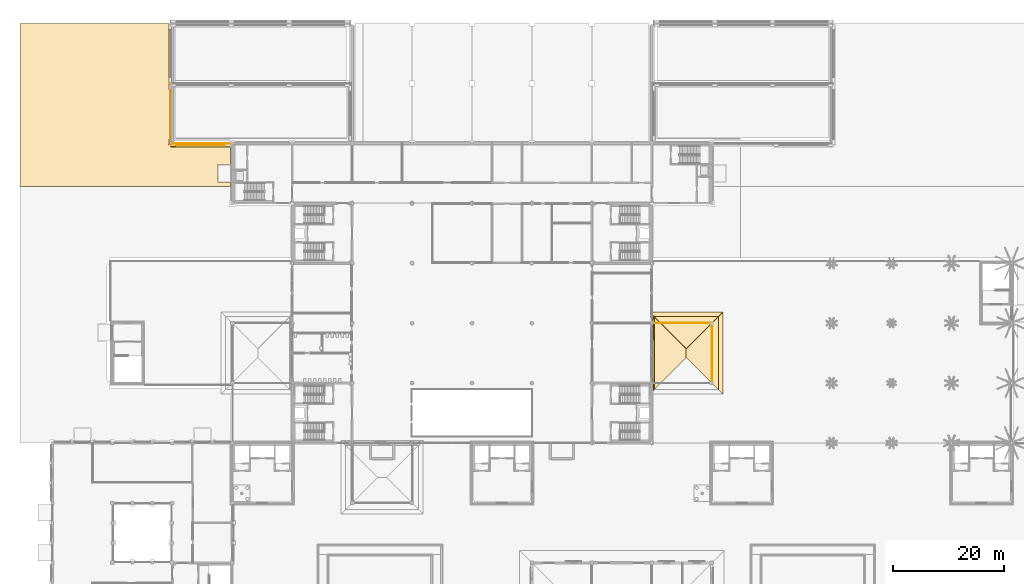
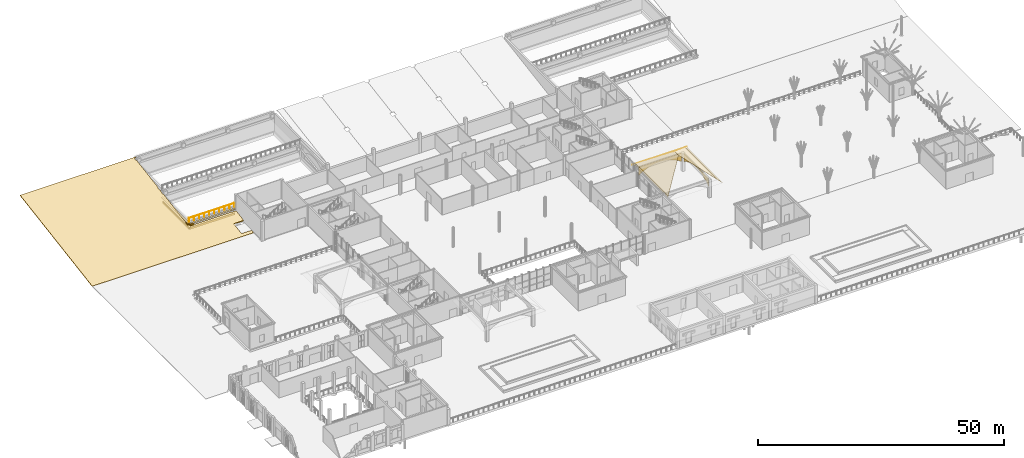
# One storey, part 83 of 91: 15 coverings, 1 railing.
"""IFC4 building model written with IfcOpenShell, lengths in metres."""

import ifcopenshell
import ifcopenshell.guid

model = None  # the IFC model being written
_history = None  # IfcOwnerHistory: only IFC2X3 demands one
_inside = {}  # id of a spatial element -> (the spatial element, [elements in it])
_under = {}  # id of a project, library or spatial element -> (it, [spatial elements below it])
_declared = {}  # id of a project -> (the project, [libraries it declares])
_typed = {}  # id of a type object -> (the type object, [elements of that type])
_made_of = {}  # id of a material, layer set ... -> (it, [elements and type objects made of it])


def new_model(schema):
    """Start an empty IFC model of exactly this schema.

    Asked for "IFC4X3", IfcOpenShell would pick the latest addendum, in which some entities
    have other attributes; the version numbers below select the first issue.
    IFC2X3 requires an IfcOwnerHistory on every rooted entity: one is made here for all.
    """
    global model, _history
    if schema == "IFC4X3":
        model = ifcopenshell.file(schema_version=(4, 3, 0, 0))
    else:
        model = ifcopenshell.file(schema=schema)
    _inside.clear()
    _under.clear()
    _declared.clear()
    _typed.clear()
    _made_of.clear()
    _history = None
    if model.schema == "IFC2X3":
        org = make("IfcOrganization", Name="unknown")
        user = make(
            "IfcPersonAndOrganization",
            ThePerson=make("IfcPerson", FamilyName="unknown"),
            TheOrganization=org,
        )
        app = make(
            "IfcApplication",
            ApplicationDeveloper=org,
            Version="unknown",
            ApplicationFullName="unknown",
            ApplicationIdentifier="unknown",
        )
        _history = make(
            "IfcOwnerHistory",
            OwningUser=user,
            OwningApplication=app,
            ChangeAction="ADDED",
            CreationDate=0,
        )
    return model


def make(cls, **values):
    """One entity of the class cls with the attributes given. An attribute that is None is left unset."""
    return model.create_entity(
        cls, **{name: value for name, value in values.items() if value is not None}
    )


def rooted(cls, **values):
    """An entity with a GlobalId (a new one), such as an element, a storey or a relation."""
    return make(cls, GlobalId=ifcopenshell.guid.new(), OwnerHistory=_history, **values)


def si_unit(unit_type, name, prefix=None):
    """IfcSIUnit, for example si_unit("LENGTHUNIT", "METRE", prefix="MILLI")."""
    return make("IfcSIUnit", UnitType=unit_type, Prefix=prefix, Name=name)


def assignment(units):
    """IfcUnitAssignment: the units of a project."""
    return None if units is None else make("IfcUnitAssignment", Units=units)


def point(xyz):
    """IfcCartesianPoint."""
    return None if xyz is None else make("IfcCartesianPoint", Coordinates=xyz)


def direction(xyz):
    """IfcDirection."""
    return None if xyz is None else make("IfcDirection", DirectionRatios=xyz)


def frame(location, z_axis=None, x_axis=None):
    """IfcAxis2Placement3D, a coordinate frame: its origin and axes. An axis left out is left unset."""
    return make(
        "IfcAxis2Placement3D",
        Location=point(location),
        Axis=direction(z_axis),
        RefDirection=direction(x_axis),
    )


def frame_2d(location, x_axis=None):
    """IfcAxis2Placement2D, a coordinate frame in the plane: its origin and x axis."""
    return make(
        "IfcAxis2Placement2D", Location=point(location), RefDirection=direction(x_axis)
    )


def origin():
    """The frame at (0, 0, 0) with its axes left unset."""
    return frame((0.0, 0.0, 0.0))


def origin_2d():
    """The frame at (0, 0) in the plane with its x axis left unset."""
    return frame_2d((0.0, 0.0))


def place(relative_to, where):
    """IfcLocalPlacement: puts the frame where relative to a parent placement (None: the world)."""
    return make(
        "IfcLocalPlacement", PlacementRelTo=relative_to, RelativePlacement=where
    )


def context(
    kind, dimensions, precision=None, world=None, true_north=None, identifier=None
):
    """IfcGeometricRepresentationContext, for example the 3D "Model" context."""
    return make(
        "IfcGeometricRepresentationContext",
        ContextIdentifier=identifier,
        ContextType=kind,
        CoordinateSpaceDimension=dimensions,
        Precision=precision,
        WorldCoordinateSystem=world,
        TrueNorth=true_north,
    )


def subcontext(parent, identifier, kind, view, scale=None):
    """IfcGeometricRepresentationSubContext, for example "Body" below "Model"."""
    return make(
        "IfcGeometricRepresentationSubContext",
        ContextIdentifier=identifier,
        ContextType=kind,
        ParentContext=parent,
        TargetScale=scale,
        TargetView=view,
    )


def project(units=None, contexts=None):
    """IfcProject with its units and contexts."""
    return rooted(
        "IfcProject",
        Name="project",
        RepresentationContexts=contexts,
        UnitsInContext=assignment(units),
    )


def spatial(cls, under=None, at=None, **own):
    """A site, building, storey or space (cls), placed at a placement, below another one or the project."""
    s = rooted(cls, ObjectPlacement=at, **own)
    if under is not None:
        _under.setdefault(under.id(), (under, []))[1].append(s)
    return s


def polyline(points):
    """IfcPolyline through the points."""
    return make("IfcPolyline", Points=[point(p) for p in points])


def profile(cls, at=None, kind="AREA", **sizes):
    """A parametric profile (cls). Its sizes go by their IFC names, for example OverallWidth=200.0."""
    return make(cls, ProfileType=kind, Position=at, **sizes)


def rectangle(**sizes):
    """IfcRectangleProfileDef."""
    return profile("IfcRectangleProfileDef", **sizes)


def circle(**sizes):
    """IfcCircleProfileDef."""
    return profile("IfcCircleProfileDef", **sizes)


def outline(outer, holes=None, kind="AREA"):
    """IfcArbitraryClosedProfileDef: a profile drawn as a closed curve; with holes, ...WithVoids."""
    if holes is None:
        return make("IfcArbitraryClosedProfileDef", ProfileType=kind, OuterCurve=outer)
    return make(
        "IfcArbitraryProfileDefWithVoids",
        ProfileType=kind,
        OuterCurve=outer,
        InnerCurves=holes,
    )


def extrude(swept, where, along, depth):
    """IfcExtrudedAreaSolid: the profile swept, set in the frame where, extruded along a direction by depth."""
    return make(
        "IfcExtrudedAreaSolid",
        SweptArea=swept,
        Position=where,
        ExtrudedDirection=direction(along),
        Depth=depth,
    )


def shape(context_of_items, identifier, shape_type, items):
    """IfcShapeRepresentation: the items that make up one representation, for example the "Body"."""
    return make(
        "IfcShapeRepresentation",
        ContextOfItems=context_of_items,
        RepresentationIdentifier=identifier,
        RepresentationType=shape_type,
        Items=items,
    )


def material(Name=None, Category=None):
    """IfcMaterial."""
    return make("IfcMaterial", Name=Name, Category=Category)


def layer(
    of_material, thickness, ventilated=None, Name=None, Category=None, Priority=None
):
    """IfcMaterialLayer: one layer of a wall or slab, of a material (None: an air gap)."""
    return make(
        "IfcMaterialLayer",
        Material=of_material,
        LayerThickness=thickness,
        IsVentilated=ventilated,
        Name=Name,
        Category=Category,
        Priority=Priority,
    )


def layer_set(layers, Name=None):
    """IfcMaterialLayerSet."""
    return make("IfcMaterialLayerSet", MaterialLayers=layers, LayerSetName=Name)


def made_of(thing, what):
    """Note that an element or type object is made of a material, layer set ...; save() writes the relation."""
    if what is not None:
        _made_of.setdefault(what.id(), (what, []))[1].append(thing)
    return thing


def type_object(cls, material=None, **own):
    """A type object (cls), such as IfcWallType, which elements share."""
    return made_of(rooted(cls, **own), material)


def element(
    cls,
    number,
    at=None,
    inside=None,
    cuts=None,
    type_object=None,
    material=None,
    context=None,
    identifier="Body",
    shape_type=None,
    held_by="IfcProductDefinitionShape",
    body=None,
    shapes=None,
    **own,
):
    """One element of the class cls, such as IfcWall. Its Tag is "e" and its number.

    at: its placement. inside: the storey or other place that contains it. cuts: it is an
    opening in that element (IfcRelVoidsElement). A single representation is given by context,
    identifier, shape_type and body (its items); several are given by shapes. held_by: the class
    of the entity that holds the representations. save() writes the other relations.
    """
    e = rooted(cls, Tag="e%d" % number, ObjectPlacement=at, **own)
    if body is not None:
        shapes = [shape(context, identifier, shape_type, body)]
    if shapes is not None:
        e.Representation = make(held_by, Representations=shapes)
    if inside is not None:
        _inside.setdefault(inside.id(), (inside, []))[1].append(e)
    if cuts is not None:
        rooted(
            "IfcRelVoidsElement", RelatingBuildingElement=cuts, RelatedOpeningElement=e
        )
    if type_object is not None:
        _typed.setdefault(type_object.id(), (type_object, []))[1].append(e)
    return made_of(e, material)


def aggregate(whole, parts):
    """IfcRelAggregates: a whole, such as a stair, and the parts it consists of."""
    return rooted("IfcRelAggregates", RelatingObject=whole, RelatedObjects=parts)


def save(model, path):
    """Write the relations noted so far, then the file.

    IfcRelAggregates (storeys below a building ...), IfcRelContainedInSpatialStructure (elements
    in a storey), IfcRelDefinesByType, IfcRelAssociatesMaterial and IfcRelDeclares: one each for
    every whole, place, type object, material and project.
    """
    for whole, parts in _under.values():
        aggregate(whole, parts)
    for where, things in _inside.values():
        rooted(
            "IfcRelContainedInSpatialStructure",
            RelatedElements=things,
            RelatingStructure=where,
        )
    for kind, things in _typed.values():
        rooted("IfcRelDefinesByType", RelatedObjects=things, RelatingType=kind)
    for what, things in _made_of.values():
        rooted("IfcRelAssociatesMaterial", RelatedObjects=things, RelatingMaterial=what)
    for by, libraries in _declared.values():
        rooted("IfcRelDeclares", RelatingContext=by, RelatedDefinitions=libraries)
    model.write(path)


model = new_model("IFC4")

# Units and contexts
model_context = context("Model", 3, precision=1e-05, world=origin(), true_north=direction((0.0, 1.0)))
body_context = subcontext(model_context, "Body", "Model", "MODEL_VIEW")
ifc_project = project(units=[si_unit("LENGTHUNIT", "METRE"), si_unit("AREAUNIT", "SQUARE_METRE"), si_unit("VOLUMEUNIT", "CUBIC_METRE"), si_unit("PLANEANGLEUNIT", "RADIAN"), si_unit("MASSUNIT", "GRAM", prefix="KILO")], contexts=[model_context])

# Site, building, storey
site_placement = place(None, origin())
site = spatial("IfcSite", under=ifc_project, at=site_placement, CompositionType="ELEMENT")
building_placement = place(site_placement, origin())
building = spatial("IfcBuilding", under=site, at=building_placement, Name="Magnolia Steps Interchange", CompositionType="ELEMENT")
storey_placement = place(building_placement, origin())
storey = spatial("IfcBuildingStorey", under=building, at=storey_placement, Name="L00", CompositionType="ELEMENT", Elevation=0.0)

# Coverings
ifc_material_1 = material(Name="Clay pantile")
ifc_layer_1 = layer(ifc_material_1, 0.0400390625)
ifc_layer_set_1 = layer_set([ifc_layer_1], Name="Clay pantile roofing")
covering_type_1 = type_object("IfcCoveringType", Name="Clay pantile roofing", PredefinedType="ROOFING", material=ifc_layer_set_1)
for number, where, z_axis, x_axis, name in (
    (1, (130.0, 52.0, 4.628662109375), (0.615661421178, 0.0, 0.788010795912), (0.0, 1.0, 0.0), "Clay pantile roof PT-E2 1"),
    (2, (118.39990234375, 65.199951171875, 4.628662109375), (-0.615661421178, 0.0, 0.788010795912), (0.0, -1.0, 0.0), "Clay pantile roof PT-E2 2"),
):
    element("IfcCovering", number, at=place(storey_placement, frame(where, z_axis=z_axis, x_axis=x_axis)), inside=storey, type_object=covering_type_1, Name=name, PredefinedType="ROOFING", context=body_context, shape_type="SweptSolid", body=[
        extrude(outline(polyline([(0.0, 0.0), (13.199951172, 0.0), (7.399902344, 7.360367216), (5.800048828, 7.360367216), (0.0, 0.0)])), origin(), (0.0, 0.0, -1.0), 0.0400390625),
    ])
covering_1_placement = place(storey_placement, frame((130.0, 65.199951171875, 4.628662109375), z_axis=(0.0, 0.615661421178, 0.788010795912), x_axis=(-1.0, 0.0, 0.0)))
element("IfcCovering", 3, at=covering_1_placement, inside=storey, type_object=covering_type_1, Name="Clay pantile roof PT-E2 4", PredefinedType="ROOFING", context=body_context, shape_type="SweptSolid", body=[
    extrude(outline(polyline([(0.0, 0.0), (11.600097656, 0.0), (5.800048828, 7.360367216), (0.0, 0.0)])), origin(), (0.0, 0.0, -1.0), 0.0400390625),
])
covering_2_placement = place(storey_placement, frame((130.0, 52.0, 4.628662109375), z_axis=(0.615770014233, 0.0, 0.78792594168), x_axis=(0.0, 1.0, 0.0)))
element("IfcCovering", 4, at=covering_2_placement, inside=storey, type_object=covering_type_1, Name="Clay pantile eave Portico roof slab PT-E2 1 1", PredefinedType="ROOFING", context=body_context, shape_type="SweptSolid", body=[
    extrude(outline(polyline([(0.0, 0.0), (13.199951172, 0.0), (14.0, -1.01538582), (-0.800048828, -1.01538582), (0.0, 0.0)])), origin(), (0.0, 0.0, -1.0), 0.0400390625),
])
covering_3_placement = place(storey_placement, frame((118.195068359375, 52.875, 4.468505859375), z_axis=(-0.615959122258, -7.20704e-07, 0.787778115783), x_axis=(0.787778115783, -1.05e-10, 0.615959122258)))
element("IfcCovering", 5, at=covering_3_placement, inside=storey, type_object=covering_type_1, Name="Clay pantile eave Portico roof slab PT-E2 2 2", PredefinedType="ROOFING", context=body_context, shape_type="SweptSolid", body=[
    extrude(outline(polyline([(0.0, 0.0), (0.141922789, 0.0), (0.164384096, 0.016113281), (0.164877186, 0.629882813), (0.141922789, 0.649902344), (-0.095136248, 0.649902344), (-0.095136249, 10.800048828), (0.141922788, 10.800048828), (0.163849057, 10.814208984), (0.164877184, 11.429931641), (0.141922788, 11.449951172), (-0.222112798, 11.449951172), (-0.222112798, 11.465087891), (-0.147490035, 11.465332031), (-0.127126931, 11.482910156), (-0.126976551, 12.629882813), (0.260013432, 12.324951172), (0.260013434, -0.875), (0.0, -1.080078125), (0.0, 0.0)])), origin(), (0.0, 0.0, -1.0), 0.0400390625),
])
covering_4_placement = place(storey_placement, frame((118.094970703125, 65.5048828125, 4.390380859375), z_axis=(8.07646e-07, 0.61577020534, 0.787925792327), x_axis=(2.5e-11, 0.787925792328, -0.61577020534)))
element("IfcCovering", 6, at=covering_4_placement, inside=storey, type_object=covering_type_1, Name="Clay pantile eave Portico roof slab PT-E2 4 1", PredefinedType="ROOFING", context=body_context, shape_type="SweptSolid", body=[
    extrude(outline(polyline([(0.0, 0.0), (0.628395821, 0.0), (0.628395821, -12.705078125), (-0.386989998, -11.905029297), (-0.386989999, -0.304931641), (0.0, 0.0)])), origin(), (0.0, 0.0, -1.0), 0.0400390625),
])
ifc_material_2 = material(Name="Lime render")
ifc_layer_2 = layer(ifc_material_2, 0.080078125)
ifc_layer_set_2 = layer_set([ifc_layer_2], Name="Lime render arch infill")
covering_type_2 = type_object("IfcCoveringType", Name="Lime render arch infill", PredefinedType="CLADDING", material=ifc_layer_set_2)
covering_5_placement = place(storey_placement, frame((118.9111328125, 64.0, 2.791015625), z_axis=(0.0, -1.0, 0.0), x_axis=(0.863533473189, 0.0, 0.504291523507)))
element("IfcCovering", 7, at=covering_5_placement, inside=storey, type_object=covering_type_2, Name="Portico arch PT-E2 N", PredefinedType="CLADDING", context=body_context, shape_type="SweptSolid", body=[
    extrude(outline(polyline([(0.0, 0.0), (0.649697057, 0.0), (1.271692553, -0.04743531), (1.86890591, -0.13779093), (2.443254722, -0.266814974), (2.996514935, -0.43243462), (3.529249847, -0.632717042), (4.042285871, -0.86673124), (4.536361716, -1.133212272), (5.011441969, -1.432704905), (5.467351219, -1.764541254), (5.903561581, -2.13010938), (6.319457465, -2.5304634), (6.714264751, -2.967413021), (7.086207493, -3.443031067), (7.433368094, -3.961569422), (7.752616311, -4.527419969), (8.039853836, -5.148084653), (9.098915282, -3.33458003), (0.377353697, 1.758690487), (-0.68170775, -0.054814136), (0.0, 0.0)])), origin(), (0.0, 0.0, -1.0), 0.080078125),
])
covering_6_placement = place(storey_placement, frame((128.800048828125, 53.550048828125, 2.39990234375), z_axis=(-1.0, 0.0, 0.0), x_axis=(0.0, 0.0, 1.0)))
element("IfcCovering", 8, at=covering_6_placement, inside=storey, type_object=covering_type_2, Name="Portico arch PT-E2 E", PredefinedType="CLADDING", context=body_context, shape_type="SweptSolid", body=[
    extrude(outline(polyline([(0.0, 0.0), (2.100097656, 0.0), (2.100097656, 10.099853516), (0.0, 10.099853516), (0.391113281, 9.538818359), (0.71875, 8.977783203), (0.991455078, 8.416748047), (1.214599609, 7.85546875), (1.392822266, 7.294433594), (1.528808594, 6.733154297), (1.624511719, 6.172119141), (1.681152344, 5.611083984), (1.700195312, 5.050048828), (1.681152344, 4.488769531), (1.624511719, 3.927734375), (1.528808594, 3.366699219), (1.392822266, 2.805664062), (1.214599609, 2.244384766), (0.991455078, 1.683349609), (0.71875, 1.122070312), (0.391113281, 0.561035156), (0.0, 0.0)])), origin(), (0.0, 0.0, -1.0), 0.080078125),
])
ifc_material_3 = material(Name="Lime render")
ifc_layer_3 = layer(ifc_material_3, 0.1201171875)
ifc_layer_set_3 = layer_set([ifc_layer_3], Name="Lime render band")
covering_type_3 = type_object("IfcCoveringType", Name="Lime render band", PredefinedType="CLADDING", material=ifc_layer_set_3)
covering_7_placement = place(storey_placement, frame((36.699951171875, 96.125, 0.0), z_axis=(0.0, 0.0, 1.0), x_axis=(1.0, 0.0, 0.0)))
element("IfcCovering", 9, at=covering_7_placement, inside=storey, type_object=covering_type_3, Name="Plinth course terrace wall W 1 1", PredefinedType="CLADDING", context=body_context, shape_type="SweptSolid", body=[
    extrude(rectangle(XDim=10.60009765625, YDim=0.14990234375, at=origin_2d()), origin(), (0.0, 0.0, 1.0), 0.5),
])
covering_8_placement = place(storey_placement, frame((36.699951171875, 95.989990234375, 1.39990234375), z_axis=(0.0, 0.0, 1.0), x_axis=(1.0, 0.0, 0.0)))
element("IfcCovering", 10, at=covering_8_placement, inside=storey, type_object=covering_type_3, Name="Coping terrace wall W 1 1", PredefinedType="CLADDING", context=body_context, shape_type="SweptSolid", body=[
    extrude(rectangle(XDim=10.60009765625, YDim=0.419921875, at=origin_2d()), origin(), (0.0, 0.0, 1.0), 0.199951171875),
])
covering_9_placement = place(storey_placement, frame((31.324951171875, 101.60009765625, 0.0), z_axis=(0.0, 0.0, 1.0), x_axis=(1.0, 0.0, 0.0)))
element("IfcCovering", 11, at=covering_9_placement, inside=storey, type_object=covering_type_3, Name="Plinth course terrace end wall W 1 1", PredefinedType="CLADDING", context=body_context, shape_type="SweptSolid", body=[
    extrude(rectangle(XDim=0.14990234375, YDim=10.800048828125, at=origin_2d()), origin(), (0.0, 0.0, 1.0), 0.5),
])
covering_10_placement = place(storey_placement, frame((31.18994140625, 101.60009765625, 1.39990234375), z_axis=(0.0, 0.0, 1.0), x_axis=(1.0, 0.0, 0.0)))
element("IfcCovering", 12, at=covering_10_placement, inside=storey, type_object=covering_type_3, Name="Coping terrace end wall W 1 1", PredefinedType="CLADDING", context=body_context, shape_type="SweptSolid", body=[
    extrude(rectangle(XDim=0.419921875, YDim=10.800048828125, at=origin_2d()), origin(), (0.0, 0.0, 1.0), 0.199951171875),
])
ifc_material_4 = material(Name="Lime render")
ifc_layer_4 = layer(ifc_material_4, 0.39990234375)
ifc_layer_set_4 = layer_set([ifc_layer_4], Name="Lime render pilaster")
covering_type_4 = type_object("IfcCoveringType", Name="Lime render pilaster", PredefinedType="CLADDING", material=ifc_layer_set_4)
covering_11_placement = place(storey_placement, frame((31.800048828125, 96.0, 0.5), z_axis=(0.0, 0.0, 1.0), x_axis=(1.0, 0.0, 0.0)))
element("IfcCovering", 13, at=covering_11_placement, inside=storey, type_object=covering_type_4, Name="Pilaster terrace wall W 1 1.1", PredefinedType="CLADDING", context=body_context, shape_type="SweptSolid", body=[
    extrude(rectangle(XDim=0.800048828125, YDim=0.39990234375, at=origin_2d()), origin(), (0.0, 0.0, 1.0), 0.89990234375),
])
covering_12_placement = place(storey_placement, frame((31.199951171875, 96.60009765625, 0.5), z_axis=(0.0, 0.0, 1.0), x_axis=(1.0, 0.0, 0.0)))
element("IfcCovering", 14, at=covering_12_placement, inside=storey, type_object=covering_type_4, Name="Pilaster terrace end wall W 1 1.1", PredefinedType="CLADDING", context=body_context, shape_type="SweptSolid", body=[
    extrude(rectangle(XDim=0.39990234375, YDim=0.800048828125, at=origin_2d()), origin(), (0.0, 0.0, 1.0), 0.89990234375),
])
ifc_material_5 = material(Name="Topsoil and turf on compacted fill")
ifc_layer_5 = layer(ifc_material_5, 0.14990234375)
ifc_layer_set_5 = layer_set([ifc_layer_5], Name="Planted bank 150")
covering_type_5 = type_object("IfcCoveringType", Name="Planted bank 150", PredefinedType="FLOORING", material=ifc_layer_set_5)
covering_13_placement = place(storey_placement, frame((4.14990234375, 118.0, 4.800048828125), z_axis=(7.4915e-07, -0.161134416281, 0.986932469771), x_axis=(1.0, 1.20714e-07, -7.3936e-07)))
element("IfcCovering", 15, at=covering_13_placement, inside=storey, type_object=covering_type_5, Name="Planted bank north west", PredefinedType="FLOORING", context=body_context, shape_type="SweptSolid", body=[
    extrude(outline(polyline([(0.0, 0.0), (27.150146484, 0.0), (27.150146484, -0.101425371), (26.830566406, -0.103151362), (26.75, -0.202609791), (26.750488281, -1.023163955), (26.850097656, -1.114675937), (26.850097656, -9.828391825), (26.750488281, -9.919903807), (26.75, -10.740457971), (26.850097656, -10.841642392), (26.850097656, -11.044212843), (26.750488281, -11.135764165), (26.75, -11.956278989), (26.850097656, -12.05746341), (26.850097656, -21.17663983), (26.750488281, -21.268151812), (26.761962891, -22.136428909), (26.840332031, -22.189369156), (27.150146484, -22.189851057), (27.152099609, -22.513673657), (27.25, -22.59531159), (28.059814453, -22.594829689), (28.150146484, -22.493886219), (36.950195312, -22.493886219), (37.040283203, -22.594829689), (37.925048828, -22.560914689), (37.925048828, -25.73620837), (35.650146484, -25.73620837), (35.550048828, -25.837633741), (35.572753906, -28.941645439), (37.925048828, -28.978771472), (37.925048828, -29.789171297), (0.0, -29.789171297), (0.0, 0.0)])), origin(), (0.0, 0.0, -1.0), 0.14990234375),
])

# Railing
ifc_material_6 = material(Name="Painted steel Q355B", Category="steel")
railing_type = type_object("IfcRailingType", Name="Steel balustrade guard 1100", PredefinedType="GUARDRAIL", material=ifc_material_6)
railing_placement = place(storey_placement, frame((31.39990234375, 96.39990234375, 1.60009765625)))
element("IfcRailing", 16, at=railing_placement, inside=storey, type_object=railing_type, Name="Terrace guard W 1", PredefinedType="GUARDRAIL", context=body_context, shape_type="SweptSolid", body=[
    extrude(circle(Radius=0.030029296875, at=origin_2d()), frame((0.0, 0.0, 1.070068359375), z_axis=(1.0, 0.0, 0.0), x_axis=(0.0, 1.0, 0.0)), (0.0, 0.0, 1.0), 10.7001953125),
    extrude(circle(Radius=0.02001953125, at=origin_2d()), origin(), (0.0, 0.0, 1.0), 1.0400390625),
    extrude(circle(Radius=0.02001953125, at=origin_2d()), frame((1.18896484375, 0.0, 0.0)), (0.0, 0.0, 1.0), 1.0400390625),
    extrude(circle(Radius=0.02001953125, at=origin_2d()), frame((2.3779296875, 0.0, 0.0)), (0.0, 0.0, 1.0), 1.0400390625),
    extrude(circle(Radius=0.02001953125, at=origin_2d()), frame((3.566650390625, 0.0, 0.0)), (0.0, 0.0, 1.0), 1.0400390625),
    extrude(circle(Radius=0.02001953125, at=origin_2d()), frame((4.755615234375, 0.0, 0.0)), (0.0, 0.0, 1.0), 1.0400390625),
    extrude(circle(Radius=0.02001953125, at=origin_2d()), frame((5.944580078125, 0.0, 0.0)), (0.0, 0.0, 1.0), 1.0400390625),
    extrude(circle(Radius=0.02001953125, at=origin_2d()), frame((7.133544921875, 0.0, 0.0)), (0.0, 0.0, 1.0), 1.0400390625),
    extrude(circle(Radius=0.02001953125, at=origin_2d()), frame((8.322265625, 0.0, 0.0)), (0.0, 0.0, 1.0), 1.0400390625),
    extrude(circle(Radius=0.02001953125, at=origin_2d()), frame((9.51123046875, 0.0, 0.0)), (0.0, 0.0, 1.0), 1.0400390625),
    extrude(circle(Radius=0.02001953125, at=origin_2d()), frame((10.7001953125, 0.0, 0.0)), (0.0, 0.0, 1.0), 1.0400390625),
])

save(model, "model.ifc")
